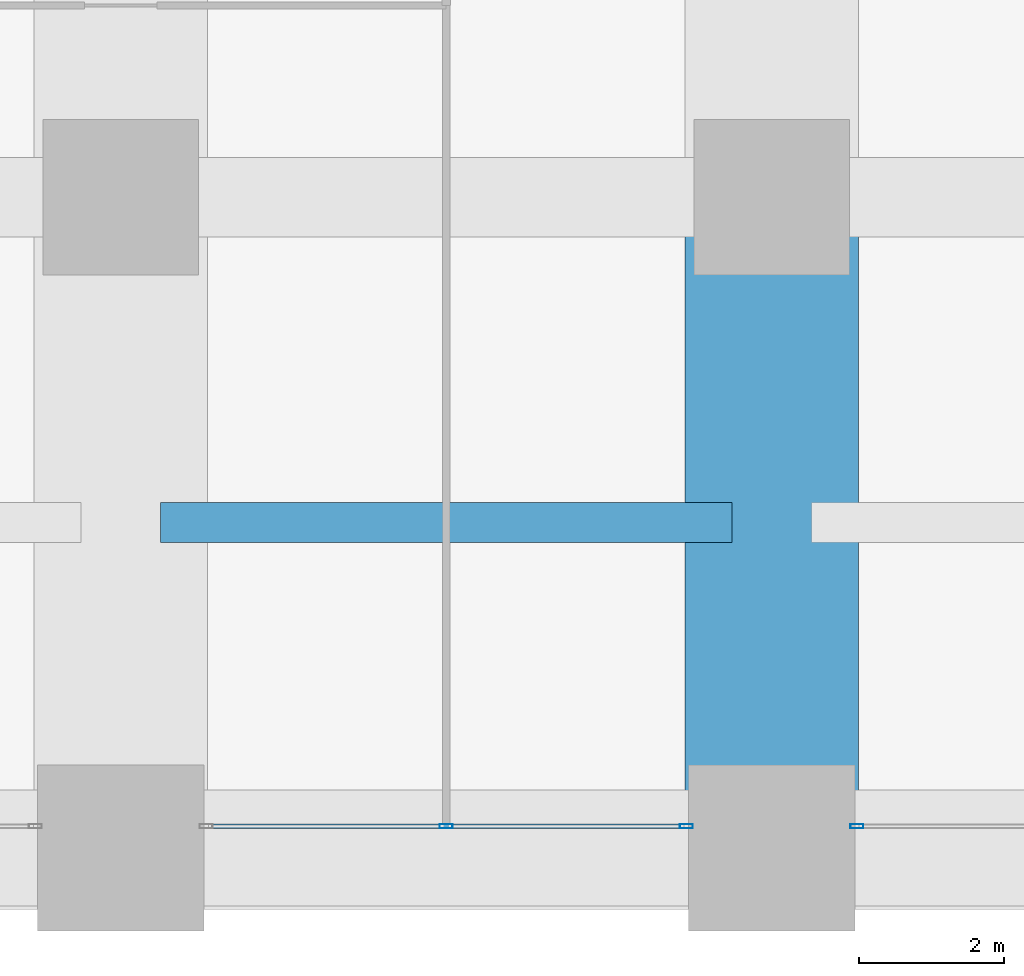
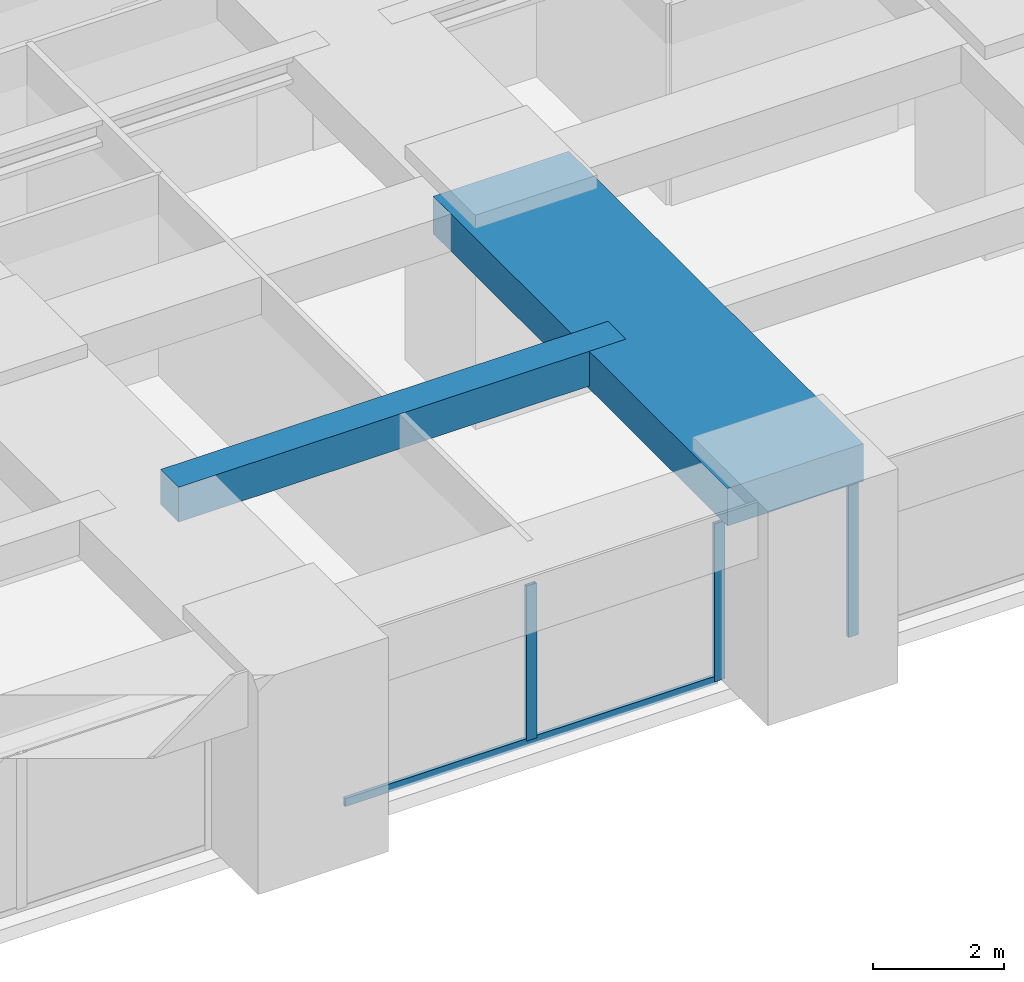
# One storey, part 12 of 44: 4 members, 2 beams, 2 elements without a shape of their own.
"""IFC4 building model written with IfcOpenShell, lengths in metres."""

from ifc_helpers import new_model, si_unit, direction, frame, origin, origin_2d, place, context, subcontext, project, spatial, rectangle, hollow_rectangle, extrude, material, material_profile, profile_set, type_object, element, aggregate, save


model = new_model("IFC4")

# Units and contexts
model_context = context("Model", 3, precision=1e-05, world=origin(), true_north=direction((0.0, 1.0)))
body_context = subcontext(model_context, "Body", "Model", "MODEL_VIEW")
ifc_project = project(units=[si_unit("LENGTHUNIT", "METRE"), si_unit("AREAUNIT", "SQUARE_METRE"), si_unit("VOLUMEUNIT", "CUBIC_METRE"), si_unit("PLANEANGLEUNIT", "RADIAN"), si_unit("MASSUNIT", "GRAM", prefix="KILO")], contexts=[model_context])

# Site, building, storey
site_placement = place(None, origin())
site = spatial("IfcSite", under=ifc_project, at=site_placement, CompositionType="ELEMENT")
building_placement = place(site_placement, origin())
building = spatial("IfcBuilding", under=site, at=building_placement, Name="Zorevar Civic Tower", CompositionType="ELEMENT")
storey_placement = place(building_placement, frame((0.0, 0.0, 63.800048828125)))
storey = spatial("IfcBuildingStorey", under=building, at=storey_placement, Name="L15", CompositionType="ELEMENT", Elevation=63.800048828125)

# Beams
ifc_material_1 = material(Name="Concrete C50/60", Category="concrete")
ifc_material_profile_1 = material_profile(ifc_material_1, rectangle(XDim=2.39990234375, YDim=0.699951171875, at=origin_2d()), Name="RC 2400x700")
ifc_profile_set_1 = profile_set([ifc_material_profile_1], Name="Concrete C50/60")
beam_type_1 = type_object("IfcBeamType", Name="Beam RC 2400x700", PredefinedType="BEAM", material=ifc_profile_set_1)
beam_1_placement = place(storey_placement, frame((36.0, 0.0, 3.39990234375), z_axis=(0.0, 1.0, 0.0), x_axis=(-1.0, 0.0, 0.0)))
element("IfcBeam", 1, at=beam_1_placement, inside=storey, type_object=beam_type_1, Name="Girder L16", PredefinedType="BEAM", context=body_context, shape_type="SweptSolid", body=[
    extrude(rectangle(XDim=2.39990234375, YDim=0.699951171875, at=origin_2d()), origin(), (0.0, 0.0, 1.0), 9.0),
])
ifc_material_2 = material(Name="Concrete C50/60", Category="concrete")
ifc_material_profile_2 = material_profile(ifc_material_2, rectangle(XDim=0.550048828125, YDim=0.64990234375, at=origin_2d()), Name="RC 550x650")
ifc_profile_set_2 = profile_set([ifc_material_profile_2], Name="Concrete C50/60")
beam_type_2 = type_object("IfcBeamType", Name="Beam RC 550x650", PredefinedType="BEAM", material=ifc_profile_set_2)
beam_2_placement = place(storey_placement, frame((27.550048828125, 4.5, 3.425048828125), z_axis=(1.0, 0.0, 0.0), x_axis=(0.0, 1.0, 0.0)))
element("IfcBeam", 2, at=beam_2_placement, inside=storey, type_object=beam_type_2, Name="Secondary beam L16", PredefinedType="BEAM", context=body_context, shape_type="SweptSolid", body=[
    extrude(rectangle(XDim=0.550048828125, YDim=0.64990234375, at=origin_2d()), origin(), (0.0, 0.0, 1.0), 7.89990234375),
])

# Curtain wall, members
ifc_material_3 = material(Name="Dark grey solar-control glass in black aluminium frame", Category="aluminium")
curtain_wall_type = type_object("IfcCurtainWallType", Name="Curtain wall CW2 low zone", PredefinedType="NOTDEFINED", material=ifc_material_3)
curtain_wall_1_placement = place(storey_placement, origin())
curtain_wall_1 = element("IfcCurtainWall", 3, at=curtain_wall_1_placement, inside=storey, type_object=curtain_wall_type, Name="CW2 L15", PredefinedType="NOTDEFINED")
ifc_material_4 = material(Name="Aluminium, black anodised", Category="aluminium")
ifc_material_profile_3 = material_profile(ifc_material_4, hollow_rectangle(XDim=0.06005859375, YDim=0.179931640625, WallThickness=0.00390625, at=origin_2d()), Name="AL 180x60x4")
ifc_profile_set_3 = profile_set([ifc_material_profile_3], Name="Aluminium, black anodised")
member_type_1 = type_object("IfcMemberType", Name="CW2 mullion AL 180x60x4", PredefinedType="MULLION", material=ifc_profile_set_3)
member_1_placement = place(storey_placement, frame((31.5, 0.300048828125, 0.06005859375), z_axis=(0.0, 0.0, 1.0), x_axis=(0.0, 1.0, 0.0)))
member_1 = element("IfcMember", 4, at=member_1_placement, type_object=member_type_1, Name="CW2 mullion 2", PredefinedType="MULLION", context=body_context, shape_type="SweptSolid", body=[
    extrude(hollow_rectangle(XDim=0.06005859375, YDim=0.179931640625, WallThickness=0.00390625, at=origin_2d()), origin(), (0.0, 0.0, 1.0), 2.889892578125),
])
member_2_placement = place(storey_placement, frame((34.820068359375, 0.300048828125, 0.0), z_axis=(0.0, 0.0, 1.0), x_axis=(0.0, 1.0, 0.0)))
member_2 = element("IfcMember", 5, at=member_2_placement, type_object=member_type_1, Name="CW2 mullion 3", PredefinedType="MULLION", context=body_context, shape_type="SweptSolid", body=[
    extrude(hollow_rectangle(XDim=0.06005859375, YDim=0.179931640625, WallThickness=0.00390625, at=origin_2d()), origin(), (0.0, 0.0, 1.0), 2.949951171875),
])

# Curtain wall, member
curtain_wall_2_placement = place(storey_placement, origin())
curtain_wall_2 = element("IfcCurtainWall", 6, at=curtain_wall_2_placement, inside=storey, type_object=curtain_wall_type, Name="CW2 L15", PredefinedType="NOTDEFINED")
member_3_placement = place(storey_placement, frame((37.179931640625, 0.300048828125, 0.0), z_axis=(0.0, 0.0, 1.0), x_axis=(0.0, 1.0, 0.0)))
member_3 = element("IfcMember", 7, at=member_3_placement, type_object=member_type_1, Name="CW2 mullion 1", PredefinedType="MULLION", context=body_context, shape_type="SweptSolid", body=[
    extrude(hollow_rectangle(XDim=0.06005859375, YDim=0.179931640625, WallThickness=0.00390625, at=origin_2d()), origin(), (0.0, 0.0, 1.0), 2.949951171875),
])
aggregate(curtain_wall_2, [member_3])

# Member
ifc_material_5 = material(Name="Aluminium, black anodised", Category="aluminium")
ifc_material_profile_4 = material_profile(ifc_material_5, hollow_rectangle(XDim=0.06005859375, YDim=0.14990234375, WallThickness=0.00390625, at=origin_2d()), Name="AL 150x60x4")
ifc_profile_set_4 = profile_set([ifc_material_profile_4], Name="Aluminium, black anodised")
member_type_2 = type_object("IfcMemberType", Name="CW2 transom AL 150x60x4", PredefinedType="USERDEFINED", material=ifc_profile_set_4)
member_4_placement = place(storey_placement, frame((28.2099609375, 0.300048828125, 0.030029296875), z_axis=(1.0, 0.0, 0.0), x_axis=(0.0, 1.0, 0.0)))
member_4 = element("IfcMember", 8, at=member_4_placement, type_object=member_type_2, Name="CW2 sill transom", ObjectType="TRANSOM", PredefinedType="USERDEFINED", context=body_context, shape_type="SweptSolid", body=[
    extrude(hollow_rectangle(XDim=0.06005859375, YDim=0.14990234375, WallThickness=0.00390625, at=origin_2d()), origin(), (0.0, 0.0, 1.0), 6.580078125),
])

aggregate(curtain_wall_1, [member_1, member_2, member_4])

save(model, "model.ifc")
